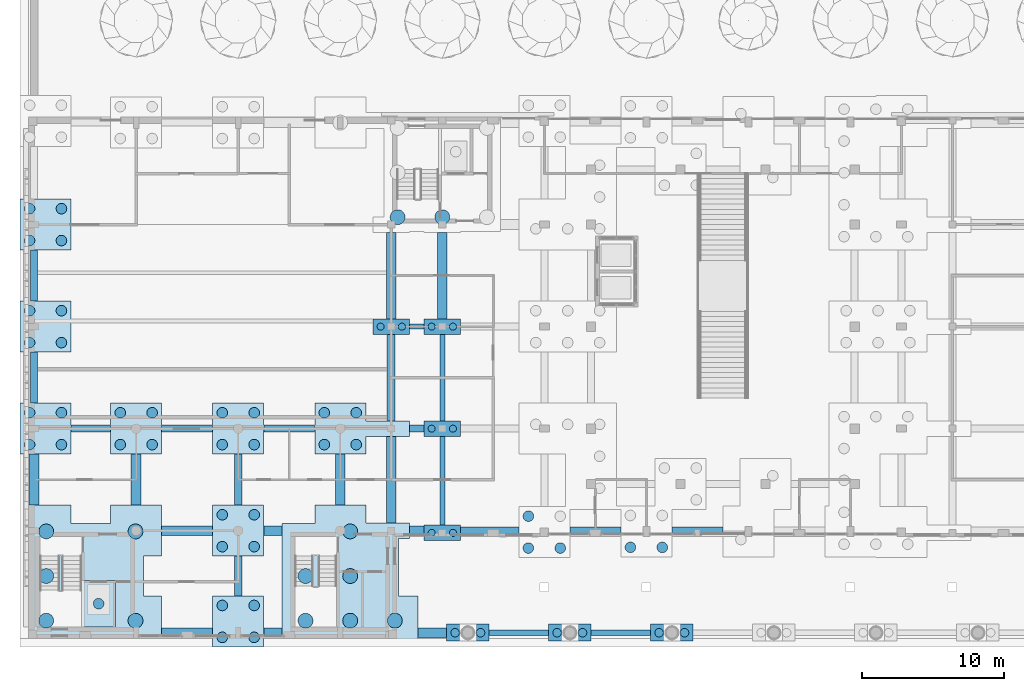
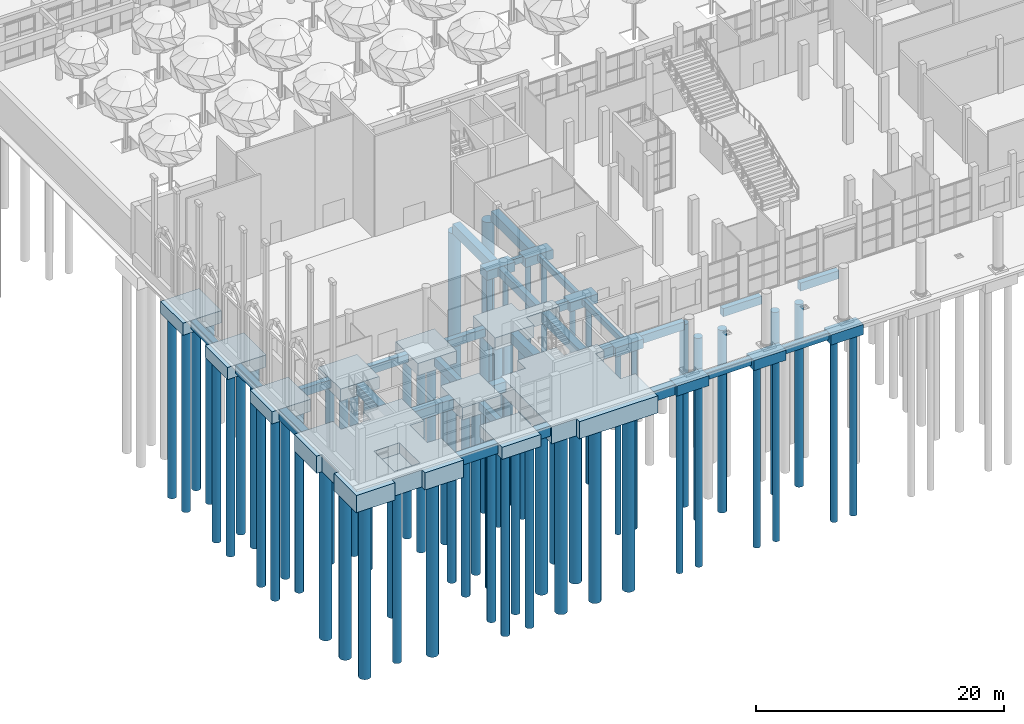
# One storey, part 1 of 80: 65 piles, 47 footings.
"""IFC4 building model written with IfcOpenShell, lengths in metres."""

from ifc_helpers import new_model, si_unit, direction, frame, origin, origin_2d, place, context, subcontext, project, spatial, polyline, rectangle, circle, outline, extrude, material, material_profile, profile_set, type_object, element, save


model = new_model("IFC4")

# Units and contexts
model_context = context("Model", 3, precision=1e-05, world=origin(), true_north=direction((0.0, 1.0)))
body_context = subcontext(model_context, "Body", "Model", "MODEL_VIEW")
ifc_project = project(units=[si_unit("LENGTHUNIT", "METRE"), si_unit("AREAUNIT", "SQUARE_METRE"), si_unit("VOLUMEUNIT", "CUBIC_METRE"), si_unit("PLANEANGLEUNIT", "RADIAN"), si_unit("MASSUNIT", "GRAM", prefix="KILO")], contexts=[model_context])

# Site, building, storey
site_placement = place(None, origin())
site = spatial("IfcSite", under=ifc_project, at=site_placement, CompositionType="ELEMENT")
building_placement = place(site_placement, origin())
building = spatial("IfcBuilding", under=site, at=building_placement, Name="Ussher Court Research Institute", CompositionType="ELEMENT")
storey_placement = place(building_placement, origin())
storey = spatial("IfcBuildingStorey", under=building, at=storey_placement, Name="L00", CompositionType="ELEMENT", Elevation=0.0)

# Piles
ifc_material_1 = material(Name="Concrete C35/45", Category="concrete")
ifc_material_profile_1 = material_profile(ifc_material_1, circle(Radius=0.52490234375, at=origin_2d()), Name="RC D1050")
ifc_profile_set_1 = profile_set([ifc_material_profile_1], Name="Concrete C35/45")
pile_type_1 = type_object("IfcPileType", Name="Bored pile D1050", PredefinedType="BORED", material=ifc_profile_set_1)
for number, where, z_axis, x_axis, name in (
    (1, (3.85009765625, 4.85009765625, -2.10009765625), (0.0, 0.0, -1.0), (1.0, 0.0, 0.0), "P5 008-01"),
    (2, (3.85009765625, 8.0, -2.10009765625), (0.0, 0.0, -1.0), (1.0, 0.0, 0.0), "P5 008-02"),
    (3, (3.85009765625, 11.14990234375, -2.10009765625), (0.0, 0.0, -1.0), (1.0, 0.0, 0.0), "P5 008-03"),
    (4, (10.14990234375, 4.85009765625, -2.10009765625), (0.0, 0.0, -1.0), (1.0, 0.0, 0.0), "P5 008-04"),
    (5, (10.14990234375, 11.14990234375, -2.10009765625), (0.0, 0.0, -1.0), (1.0, 0.0, 0.0), "P5 008-05"),
    (6, (22.14990234375, 4.85009765625, -2.10009765625), (0.0, 0.0, -1.0), (1.0, 0.0, 0.0), "P5 031-01"),
    (7, (22.14990234375, 8.0, -2.10009765625), (0.0, 0.0, -1.0), (1.0, 0.0, 0.0), "P5 031-02"),
    (8, (25.300048828125, 4.85009765625, -2.10009765625), (0.0, 0.0, -1.0), (1.0, 0.0, 0.0), "P5 031-03"),
    (9, (25.300048828125, 8.0, -2.10009765625), (0.0, 0.0, -1.0), (1.0, 0.0, 0.0), "P5 031-04"),
    (10, (25.300048828125, 11.14990234375, -2.10009765625), (0.0, 0.0, -1.0), (1.0, 0.0, 0.0), "P5 031-05"),
    (11, (28.449951171875, 4.85009765625, -2.10009765625), (0.0, 0.0, -1.0), (1.0, 0.0, 0.0), "P5 031-06"),
    (12, (28.64990234375, 33.324951171875, -2.10009765625), (0.0, 0.0, -1.0), (1.0, 0.0, 0.0), "P5 033-01"),
    (13, (31.800048828125, 33.324951171875, -2.10009765625), (0.0, 0.0, -1.0), (1.0, 0.0, 0.0), "P5 033-04"),
):
    element("IfcPile", number, at=place(storey_placement, frame(where, z_axis=z_axis, x_axis=x_axis)), inside=storey, type_object=pile_type_1, Name=name, PredefinedType="BORED", context=body_context, shape_type="SweptSolid", body=[
        extrude(circle(Radius=0.52490234375, at=origin_2d()), origin(), (0.0, 0.0, 1.0), 18.0),
    ])
ifc_material_2 = material(Name="Concrete C35/45", Category="concrete")
ifc_material_profile_2 = material_profile(ifc_material_2, circle(Radius=0.25, at=origin_2d()), Name="RC D500")
ifc_profile_set_2 = profile_set([ifc_material_profile_2], Name="Concrete C35/45")
pile_type_2 = type_object("IfcPileType", Name="Bored pile D500", PredefinedType="BORED", material=ifc_profile_set_2)
for number, where, z_axis, x_axis, name in (
    (14, (27.449951171875, 25.60009765625, -1.300048828125), (0.0, 0.0, -1.0), (1.0, 0.0, 0.0), "P4 039-01"),
    (15, (28.949951171875, 25.60009765625, -1.300048828125), (0.0, 0.0, -1.0), (1.0, 0.0, 0.0), "P4 039-02"),
    (16, (31.050048828125, 11.050048828125, -1.300048828125), (0.0, 0.0, -1.0), (1.0, 0.0, 0.0), "P4 045-01"),
    (17, (32.550048828125, 11.050048828125, -1.300048828125), (0.0, 0.0, -1.0), (1.0, 0.0, 0.0), "P4 045-02"),
    (18, (31.050048828125, 18.39990234375, -1.300048828125), (0.0, 0.0, -1.0), (1.0, 0.0, 0.0), "P4 046-01"),
    (19, (32.550048828125, 18.39990234375, -1.300048828125), (0.0, 0.0, -1.0), (1.0, 0.0, 0.0), "P4 046-02"),
    (20, (31.050048828125, 25.60009765625, -1.300048828125), (0.0, 0.0, -1.0), (1.0, 0.0, 0.0), "P4 047-01"),
    (21, (32.550048828125, 25.60009765625, -1.300048828125), (0.0, 0.0, -1.0), (1.0, 0.0, 0.0), "P4 047-02"),
):
    element("IfcPile", number, at=place(storey_placement, frame(where, z_axis=z_axis, x_axis=x_axis)), inside=storey, type_object=pile_type_2, Name=name, PredefinedType="BORED", context=body_context, shape_type="SweptSolid", body=[
        extrude(circle(Radius=0.25, at=origin_2d()), origin(), (0.0, 0.0, 1.0), 18.0),
    ])
ifc_material_3 = material(Name="Concrete C35/45", Category="concrete")
ifc_material_profile_3 = material_profile(ifc_material_3, circle(Radius=0.300048828125, at=origin_2d()), Name="RC D600")
ifc_profile_set_3 = profile_set([ifc_material_profile_3], Name="Concrete C35/45")
pile_type_3 = type_object("IfcPileType", Name="Bored pile D600", PredefinedType="BORED", material=ifc_profile_set_3)
for number, where, z_axis, x_axis, name in (
    (22, (32.699951171875, 4.0, -1.39990234375), (0.0, 0.0, -1.0), (1.0, 0.0, 0.0), "P2 048-01"),
    (23, (34.5, 4.0, -1.39990234375), (0.0, 0.0, -1.0), (1.0, 0.0, 0.0), "P2 048-02"),
    (24, (39.89990234375, 4.0, -1.39990234375), (0.0, 0.0, -1.0), (1.0, 0.0, 0.0), "P2 057-01"),
    (25, (41.699951171875, 4.0, -1.39990234375), (0.0, 0.0, -1.0), (1.0, 0.0, 0.0), "P2 057-02"),
    (26, (47.10009765625, 4.0, -1.39990234375), (0.0, 0.0, -1.0), (1.0, 0.0, 0.0), "P2 062-01"),
    (27, (48.89990234375, 4.0, -1.39990234375), (0.0, 0.0, -1.0), (1.0, 0.0, 0.0), "P2 062-02"),
):
    element("IfcPile", number, at=place(storey_placement, frame(where, z_axis=z_axis, x_axis=x_axis)), inside=storey, type_object=pile_type_3, Name=name, PredefinedType="BORED", context=body_context, shape_type="SweptSolid", body=[
        extrude(circle(Radius=0.300048828125, at=origin_2d()), origin(), (0.0, 0.0, 1.0), 18.0),
    ])
ifc_material_4 = material(Name="Concrete C35/45", Category="concrete")
ifc_material_profile_4 = material_profile(ifc_material_4, circle(Radius=0.375, at=origin_2d()), Name="RC D750")
ifc_profile_set_4 = profile_set([ifc_material_profile_4], Name="Concrete C35/45")
pile_type_4 = type_object("IfcPileType", Name="Bored pile D750", PredefinedType="BORED", material=ifc_profile_set_4)
for number, where, z_axis, x_axis, name in (
    (28, (7.550048828125, 6.050048828125, -2.64990234375), (0.0, 0.0, -1.0), (1.0, 0.0, 0.0), "P1 001-01"),
    (29, (2.675048828125, 17.27490234375, -1.60009765625), (0.0, 0.0, -1.0), (1.0, 0.0, 0.0), "P1 009-01"),
    (30, (2.675048828125, 19.52490234375, -1.60009765625), (0.0, 0.0, -1.0), (1.0, 0.0, 0.0), "P1 009-02"),
    (31, (4.925048828125, 17.27490234375, -1.60009765625), (0.0, 0.0, -1.0), (1.0, 0.0, 0.0), "P1 009-03"),
    (32, (4.925048828125, 19.52490234375, -1.60009765625), (0.0, 0.0, -1.0), (1.0, 0.0, 0.0), "P1 009-04"),
    (33, (2.675048828125, 24.47509765625, -1.60009765625), (0.0, 0.0, -1.0), (1.0, 0.0, 0.0), "P1 010-01"),
    (34, (2.675048828125, 26.72509765625, -1.60009765625), (0.0, 0.0, -1.0), (1.0, 0.0, 0.0), "P1 010-02"),
    (35, (4.925048828125, 24.47509765625, -1.60009765625), (0.0, 0.0, -1.0), (1.0, 0.0, 0.0), "P1 010-03"),
    (36, (4.925048828125, 26.72509765625, -1.60009765625), (0.0, 0.0, -1.0), (1.0, 0.0, 0.0), "P1 010-04"),
    (37, (2.675048828125, 31.675048828125, -1.60009765625), (0.0, 0.0, -1.0), (1.0, 0.0, 0.0), "P1 011-01"),
    (38, (2.675048828125, 33.925048828125, -1.60009765625), (0.0, 0.0, -1.0), (1.0, 0.0, 0.0), "P1 011-02"),
    (39, (4.925048828125, 31.675048828125, -1.60009765625), (0.0, 0.0, -1.0), (1.0, 0.0, 0.0), "P1 011-03"),
    (40, (4.925048828125, 33.925048828125, -1.60009765625), (0.0, 0.0, -1.0), (1.0, 0.0, 0.0), "P1 011-04"),
    (41, (9.074951171875, 17.27490234375, -1.60009765625), (0.0, 0.0, -1.0), (1.0, 0.0, 0.0), "P1 017-01"),
    (42, (9.074951171875, 19.52490234375, -1.60009765625), (0.0, 0.0, -1.0), (1.0, 0.0, 0.0), "P1 017-02"),
    (43, (11.324951171875, 17.27490234375, -1.60009765625), (0.0, 0.0, -1.0), (1.0, 0.0, 0.0), "P1 017-03"),
    (44, (11.324951171875, 19.52490234375, -1.60009765625), (0.0, 0.0, -1.0), (1.0, 0.0, 0.0), "P1 017-04"),
    (45, (16.27490234375, 3.675048828125, -1.60009765625), (0.0, 0.0, -1.0), (1.0, 0.0, 0.0), "P1 022-01"),
    (46, (16.27490234375, 5.925048828125, -1.60009765625), (0.0, 0.0, -1.0), (1.0, 0.0, 0.0), "P1 022-02"),
    (47, (18.52490234375, 3.675048828125, -1.60009765625), (0.0, 0.0, -1.0), (1.0, 0.0, 0.0), "P1 022-03"),
    (48, (18.52490234375, 5.925048828125, -1.60009765625), (0.0, 0.0, -1.0), (1.0, 0.0, 0.0), "P1 022-04"),
    (49, (16.27490234375, 10.074951171875, -1.60009765625), (0.0, 0.0, -1.0), (1.0, 0.0, 0.0), "P1 023-01"),
    (50, (16.27490234375, 12.324951171875, -1.60009765625), (0.0, 0.0, -1.0), (1.0, 0.0, 0.0), "P1 023-02"),
    (51, (18.52490234375, 10.074951171875, -1.60009765625), (0.0, 0.0, -1.0), (1.0, 0.0, 0.0), "P1 023-03"),
    (52, (18.52490234375, 12.324951171875, -1.60009765625), (0.0, 0.0, -1.0), (1.0, 0.0, 0.0), "P1 023-04"),
    (53, (16.27490234375, 17.27490234375, -1.60009765625), (0.0, 0.0, -1.0), (1.0, 0.0, 0.0), "P1 024-01"),
    (54, (16.27490234375, 19.52490234375, -1.60009765625), (0.0, 0.0, -1.0), (1.0, 0.0, 0.0), "P1 024-02"),
    (55, (18.52490234375, 17.27490234375, -1.60009765625), (0.0, 0.0, -1.0), (1.0, 0.0, 0.0), "P1 024-03"),
    (56, (18.52490234375, 19.52490234375, -1.60009765625), (0.0, 0.0, -1.0), (1.0, 0.0, 0.0), "P1 024-04"),
    (57, (23.47509765625, 17.27490234375, -1.60009765625), (0.0, 0.0, -1.0), (1.0, 0.0, 0.0), "P1 032-01"),
    (58, (23.47509765625, 19.52490234375, -1.60009765625), (0.0, 0.0, -1.0), (1.0, 0.0, 0.0), "P1 032-02"),
    (59, (25.72509765625, 17.27490234375, -1.60009765625), (0.0, 0.0, -1.0), (1.0, 0.0, 0.0), "P1 032-03"),
    (60, (25.72509765625, 19.52490234375, -1.60009765625), (0.0, 0.0, -1.0), (1.0, 0.0, 0.0), "P1 032-04"),
    (61, (37.875, 9.97509765625, -1.60009765625), (0.0, 0.0, -1.0), (1.0, 0.0, 0.0), "P1 049-06"),
    (62, (37.875, 12.22509765625, -1.60009765625), (0.0, 0.0, -1.0), (1.0, 0.0, 0.0), "P1 049-07"),
    (63, (40.125, 9.97509765625, -1.60009765625), (0.0, 0.0, -1.0), (1.0, 0.0, 0.0), "P1 049-08"),
    (64, (45.074951171875, 10.02490234375, -1.60009765625), (0.0, 0.0, -1.0), (1.0, 0.0, 0.0), "P1 049-10"),
    (65, (47.324951171875, 10.02490234375, -1.60009765625), (0.0, 0.0, -1.0), (1.0, 0.0, 0.0), "P1 049-12"),
):
    element("IfcPile", number, at=place(storey_placement, frame(where, z_axis=z_axis, x_axis=x_axis)), inside=storey, type_object=pile_type_4, Name=name, PredefinedType="BORED", context=body_context, shape_type="SweptSolid", body=[
        extrude(circle(Radius=0.375, at=origin_2d()), origin(), (0.0, 0.0, 1.0), 18.0),
    ])

# Footings
ifc_material_5 = material(Name="Concrete C35/45", Category="concrete")
footing_type_1 = type_object("IfcFootingType", Name="Core raft 10000x10000x1700", PredefinedType="PILE_CAP", material=ifc_material_5)
footing_1_placement = place(storey_placement, frame((0.0, 0.0, -2.25)))
element("IfcFooting", 66, at=footing_1_placement, inside=storey, type_object=footing_type_1, Name="CR14 008", PredefinedType="PILE_CAP", context=body_context, shape_type="SweptSolid", body=[
    extrude(outline(polyline([(2.5, 9.39990234375), (2.5, 6.60009765625), (2.0, 6.60009765625), (2.0, 3.0), (5.60009765625, 3.0), (5.60009765625, 3.5), (8.39990234375, 3.5), (8.39990234375, 3.0), (12.0, 3.0), (12.0, 6.60009765625), (10.699951171875, 6.60009765625), (10.699951171875, 9.39990234375), (12.0, 9.39990234375), (12.0, 13.0), (8.39990234375, 13.0), (8.39990234375, 11.699951171875), (5.60009765625, 11.699951171875), (5.60009765625, 13.0), (2.0, 13.0), (2.0, 9.39990234375), (2.5, 9.39990234375)]), holes=[polyline([(8.75, 7.699951171875), (8.75, 4.39990234375), (6.35009765625, 4.39990234375), (6.35009765625, 7.699951171875), (8.75, 7.699951171875)])]), origin(), (0.0, 0.0, 1.0), 1.699951171875),
])
ifc_material_6 = material(Name="Concrete C35/45", Category="concrete")
footing_type_2 = type_object("IfcFootingType", Name="Core raft 10000x9600x1700", PredefinedType="PILE_CAP", material=ifc_material_6)
footing_2_placement = place(storey_placement, frame((0.0, 0.0, -2.25)))
element("IfcFooting", 67, at=footing_2_placement, inside=storey, type_object=footing_type_2, Name="CR13 031", PredefinedType="PILE_CAP", context=body_context, shape_type="SweptSolid", body=[
    extrude(outline(polyline([(20.5, 3.5), (22.800048828125, 3.5), (22.800048828125, 3.0), (30.10009765625, 3.0), (30.10009765625, 6.60009765625), (28.699951171875, 6.60009765625), (28.699951171875, 10.64990234375), (29.5, 10.64990234375), (29.5, 11.75), (26.39990234375, 11.75), (26.39990234375, 13.0), (22.800048828125, 13.0), (22.800048828125, 11.699951171875), (20.5, 11.699951171875), (20.5, 3.5)])), origin(), (0.0, 0.0, 1.0), 1.699951171875),
])
ifc_material_7 = material(Name="Concrete C35/45", Category="concrete")
footing_type_3 = type_object("IfcFootingType", Name="Core raft 3300x2400x1200", PredefinedType="PILE_CAP", material=ifc_material_7)
footing_3_placement = place(storey_placement, frame((0.0, 0.0, -2.800048828125)))
element("IfcFooting", 68, at=footing_3_placement, inside=storey, type_object=footing_type_3, Name="CR3 001", PredefinedType="PILE_CAP", context=body_context, shape_type="SweptSolid", body=[
    extrude(outline(polyline([(8.75, 4.39990234375), (8.75, 7.699951171875), (6.35009765625, 7.699951171875), (6.35009765625, 4.39990234375), (8.75, 4.39990234375)])), origin(), (0.0, 0.0, 1.0), 1.199951171875),
])
ifc_material_8 = material(Name="Concrete C35/45", Category="concrete")
footing_type_4 = type_object("IfcFootingType", Name="Pile cap 2600x1100x900", PredefinedType="PILE_CAP", material=ifc_material_8)
footing_4_placement = place(storey_placement, frame((0.0, 0.0, -1.449951171875)))
element("IfcFooting", 69, at=footing_4_placement, inside=storey, type_object=footing_type_4, Name="PC1 039", PredefinedType="PILE_CAP", context=body_context, shape_type="SweptSolid", body=[
    extrude(outline(polyline([(26.89990234375, 25.050048828125), (29.5, 25.050048828125), (29.5, 26.14990234375), (26.89990234375, 26.14990234375), (26.89990234375, 25.050048828125)])), origin(), (0.0, 0.0, 1.0), 0.89990234375),
])
footing_5_placement = place(storey_placement, frame((0.0, 0.0, -1.449951171875)))
element("IfcFooting", 70, at=footing_5_placement, inside=storey, type_object=footing_type_4, Name="PC1 045", PredefinedType="PILE_CAP", context=body_context, shape_type="SweptSolid", body=[
    extrude(outline(polyline([(30.5, 10.5), (33.10009765625, 10.5), (33.10009765625, 11.60009765625), (30.5, 11.60009765625), (30.5, 10.5)])), origin(), (0.0, 0.0, 1.0), 0.89990234375),
])
footing_6_placement = place(storey_placement, frame((0.0, 0.0, -1.449951171875)))
element("IfcFooting", 71, at=footing_6_placement, inside=storey, type_object=footing_type_4, Name="PC1 046", PredefinedType="PILE_CAP", context=body_context, shape_type="SweptSolid", body=[
    extrude(outline(polyline([(30.5, 17.85009765625), (33.10009765625, 17.85009765625), (33.10009765625, 18.949951171875), (30.5, 18.949951171875), (30.5, 17.85009765625)])), origin(), (0.0, 0.0, 1.0), 0.89990234375),
])
footing_7_placement = place(storey_placement, frame((0.0, 0.0, -1.449951171875)))
element("IfcFooting", 72, at=footing_7_placement, inside=storey, type_object=footing_type_4, Name="PC1 047", PredefinedType="PILE_CAP", context=body_context, shape_type="SweptSolid", body=[
    extrude(outline(polyline([(30.5, 25.050048828125), (33.10009765625, 25.050048828125), (33.10009765625, 26.14990234375), (30.5, 26.14990234375), (30.5, 25.050048828125)])), origin(), (0.0, 0.0, 1.0), 0.89990234375),
])
ifc_material_9 = material(Name="Concrete C35/45", Category="concrete")
footing_type_5 = type_object("IfcFootingType", Name="Pile cap 3000x1200x1000", PredefinedType="PILE_CAP", material=ifc_material_9)
footing_8_placement = place(storey_placement, frame((0.0, 0.0, -1.550048828125)))
element("IfcFooting", 73, at=footing_8_placement, inside=storey, type_object=footing_type_5, Name="PC2 048", PredefinedType="PILE_CAP", context=body_context, shape_type="SweptSolid", body=[
    extrude(outline(polyline([(32.10009765625, 3.39990234375), (35.10009765625, 3.39990234375), (35.10009765625, 4.60009765625), (32.10009765625, 4.60009765625), (32.10009765625, 3.39990234375)])), origin(), (0.0, 0.0, 1.0), 1.0),
])
footing_9_placement = place(storey_placement, frame((0.0, 0.0, -1.550048828125)))
element("IfcFooting", 74, at=footing_9_placement, inside=storey, type_object=footing_type_5, Name="PC2 057", PredefinedType="PILE_CAP", context=body_context, shape_type="SweptSolid", body=[
    extrude(outline(polyline([(39.300048828125, 3.39990234375), (42.300048828125, 3.39990234375), (42.300048828125, 4.60009765625), (39.300048828125, 4.60009765625), (39.300048828125, 3.39990234375)])), origin(), (0.0, 0.0, 1.0), 1.0),
])
footing_10_placement = place(storey_placement, frame((0.0, 0.0, -1.550048828125)))
element("IfcFooting", 75, at=footing_10_placement, inside=storey, type_object=footing_type_5, Name="PC2 062", PredefinedType="PILE_CAP", context=body_context, shape_type="SweptSolid", body=[
    extrude(outline(polyline([(46.5, 3.39990234375), (49.5, 3.39990234375), (49.5, 4.60009765625), (46.5, 4.60009765625), (46.5, 3.39990234375)])), origin(), (0.0, 0.0, 1.0), 1.0),
])
ifc_material_10 = material(Name="Concrete C35/45", Category="concrete")
footing_type_6 = type_object("IfcFootingType", Name="Pile cap 3600x3600x1200", PredefinedType="PILE_CAP", material=ifc_material_10)
footing_11_placement = place(storey_placement, frame((0.0, 0.0, -1.75)))
element("IfcFooting", 76, at=footing_11_placement, inside=storey, type_object=footing_type_6, Name="PC5 009", PredefinedType="PILE_CAP", context=body_context, shape_type="SweptSolid", body=[
    extrude(outline(polyline([(2.0, 16.60009765625), (5.60009765625, 16.60009765625), (5.60009765625, 20.199951171875), (2.0, 20.199951171875), (2.0, 16.60009765625)])), origin(), (0.0, 0.0, 1.0), 1.199951171875),
])
footing_12_placement = place(storey_placement, frame((0.0, 0.0, -1.75)))
element("IfcFooting", 77, at=footing_12_placement, inside=storey, type_object=footing_type_6, Name="PC5 010", PredefinedType="PILE_CAP", context=body_context, shape_type="SweptSolid", body=[
    extrude(outline(polyline([(2.0, 23.800048828125), (5.60009765625, 23.800048828125), (5.60009765625, 27.39990234375), (2.0, 27.39990234375), (2.0, 23.800048828125)])), origin(), (0.0, 0.0, 1.0), 1.199951171875),
])
footing_13_placement = place(storey_placement, frame((0.0, 0.0, -1.75)))
element("IfcFooting", 78, at=footing_13_placement, inside=storey, type_object=footing_type_6, Name="PC5 011", PredefinedType="PILE_CAP", context=body_context, shape_type="SweptSolid", body=[
    extrude(outline(polyline([(2.0, 31.0), (5.60009765625, 31.0), (5.60009765625, 34.60009765625), (2.0, 34.60009765625), (2.0, 31.0)])), origin(), (0.0, 0.0, 1.0), 1.199951171875),
])
footing_14_placement = place(storey_placement, frame((0.0, 0.0, -1.75)))
element("IfcFooting", 79, at=footing_14_placement, inside=storey, type_object=footing_type_6, Name="PC5 017", PredefinedType="PILE_CAP", context=body_context, shape_type="SweptSolid", body=[
    extrude(outline(polyline([(8.39990234375, 16.60009765625), (12.0, 16.60009765625), (12.0, 20.199951171875), (8.39990234375, 20.199951171875), (8.39990234375, 16.60009765625)])), origin(), (0.0, 0.0, 1.0), 1.199951171875),
])
footing_15_placement = place(storey_placement, frame((0.0, 0.0, -1.75)))
element("IfcFooting", 80, at=footing_15_placement, inside=storey, type_object=footing_type_6, Name="PC5 022", PredefinedType="PILE_CAP", context=body_context, shape_type="SweptSolid", body=[
    extrude(outline(polyline([(15.60009765625, 3.0), (19.199951171875, 3.0), (19.199951171875, 6.60009765625), (15.60009765625, 6.60009765625), (15.60009765625, 3.0)])), origin(), (0.0, 0.0, 1.0), 1.199951171875),
])
footing_16_placement = place(storey_placement, frame((0.0, 0.0, -1.75)))
element("IfcFooting", 81, at=footing_16_placement, inside=storey, type_object=footing_type_6, Name="PC5 023", PredefinedType="PILE_CAP", context=body_context, shape_type="SweptSolid", body=[
    extrude(outline(polyline([(15.60009765625, 9.39990234375), (19.199951171875, 9.39990234375), (19.199951171875, 13.0), (15.60009765625, 13.0), (15.60009765625, 9.39990234375)])), origin(), (0.0, 0.0, 1.0), 1.199951171875),
])
footing_17_placement = place(storey_placement, frame((0.0, 0.0, -1.75)))
element("IfcFooting", 82, at=footing_17_placement, inside=storey, type_object=footing_type_6, Name="PC5 024", PredefinedType="PILE_CAP", context=body_context, shape_type="SweptSolid", body=[
    extrude(outline(polyline([(15.60009765625, 16.60009765625), (19.199951171875, 16.60009765625), (19.199951171875, 20.199951171875), (15.60009765625, 20.199951171875), (15.60009765625, 16.60009765625)])), origin(), (0.0, 0.0, 1.0), 1.199951171875),
])
ifc_material_11 = material(Name="Concrete C35/45", Category="concrete")
footing_type_7 = type_object("IfcFootingType", Name="Pile cap 6700x3600x1200", PredefinedType="PILE_CAP", material=ifc_material_11)
footing_18_placement = place(storey_placement, frame((0.0, 0.0, -1.75)))
element("IfcFooting", 83, at=footing_18_placement, inside=storey, type_object=footing_type_7, Name="PC7 032", PredefinedType="PILE_CAP", context=body_context, shape_type="SweptSolid", body=[
    extrude(outline(polyline([(22.800048828125, 20.199951171875), (22.800048828125, 16.60009765625), (26.39990234375, 16.60009765625), (26.39990234375, 17.85009765625), (29.5, 17.85009765625), (29.5, 18.949951171875), (26.39990234375, 18.949951171875), (26.39990234375, 20.199951171875), (22.800048828125, 20.199951171875)])), origin(), (0.0, 0.0, 1.0), 1.199951171875),
])
ifc_material_12 = material(Name="Concrete C35/45", Category="concrete")
ifc_material_profile_5 = material_profile(ifc_material_12, rectangle(XDim=0.35009765625, YDim=0.60009765625, at=origin_2d()), Name="RC 350x600")
ifc_profile_set_5 = profile_set([ifc_material_profile_5], Name="Concrete C35/45")
footing_type_8 = type_object("IfcFootingType", Name="RC 350x600 ground beam", PredefinedType="FOOTING_BEAM", material=ifc_profile_set_5)
footing_19_placement = place(storey_placement, frame((29.5009765625, 25.60009765625, -0.85009765625), z_axis=(1.0, 0.0, 0.0), x_axis=(0.0, 1.0, 0.0)))
element("IfcFooting", 84, at=footing_19_placement, inside=storey, type_object=footing_type_8, Name="GB4 037", PredefinedType="FOOTING_BEAM", context=body_context, shape_type="SweptSolid", body=[
    extrude(rectangle(XDim=0.35009765625, YDim=0.60009765625, at=origin_2d()), origin(), (0.0, 0.0, 1.0), 0.998046875),
])
footing_20_placement = place(storey_placement, frame((31.800048828125, 11.60107421875, -0.85009765625), z_axis=(0.0, 1.0, 0.0), x_axis=(-1.0, 0.0, 0.0)))
element("IfcFooting", 85, at=footing_20_placement, inside=storey, type_object=footing_type_8, Name="GB4 140", PredefinedType="FOOTING_BEAM", context=body_context, shape_type="SweptSolid", body=[
    extrude(rectangle(XDim=0.35009765625, YDim=0.60009765625, at=origin_2d()), origin(), (0.0, 0.0, 1.0), 6.248046875),
])
footing_21_placement = place(storey_placement, frame((31.800048828125, 18.950927734375, -0.85009765625), z_axis=(0.0, 1.0, 0.0), x_axis=(-1.0, 0.0, 0.0)))
element("IfcFooting", 86, at=footing_21_placement, inside=storey, type_object=footing_type_8, Name="GB4 141", PredefinedType="FOOTING_BEAM", context=body_context, shape_type="SweptSolid", body=[
    extrude(rectangle(XDim=0.35009765625, YDim=0.60009765625, at=origin_2d()), origin(), (0.0, 0.0, 1.0), 6.09814453125),
])
ifc_material_13 = material(Name="Concrete C35/45", Category="concrete")
ifc_material_profile_6 = material_profile(ifc_material_13, rectangle(XDim=0.39990234375, YDim=0.699951171875, at=origin_2d()), Name="RC 400x700")
ifc_profile_set_6 = profile_set([ifc_material_profile_6], Name="Concrete C35/45")
footing_type_9 = type_object("IfcFootingType", Name="RC 400x700 ground beam", PredefinedType="FOOTING_BEAM", material=ifc_profile_set_6)
for number, where, z_axis, x_axis, name in (
    (87, (35.10107421875, 4.0, -0.89990234375), (1.0, 0.0, 0.0), (0.0, 1.0, 0.0), "GB2 004"),
    (88, (42.301025390625, 4.0, -0.89990234375), (1.0, 0.0, 0.0), (0.0, 1.0, 0.0), "GB2 005"),
):
    element("IfcFooting", number, at=place(storey_placement, frame(where, z_axis=z_axis, x_axis=x_axis)), inside=storey, type_object=footing_type_9, Name=name, PredefinedType="FOOTING_BEAM", context=body_context, shape_type="SweptSolid", body=[
        extrude(rectangle(XDim=0.39990234375, YDim=0.699951171875, at=origin_2d()), origin(), (0.0, 0.0, 1.0), 4.197998046875),
    ])
ifc_material_14 = material(Name="Concrete C35/45", Category="concrete")
ifc_material_profile_7 = material_profile(ifc_material_14, rectangle(XDim=0.5, YDim=0.800048828125, at=origin_2d()), Name="RC 500x800")
ifc_profile_set_7 = profile_set([ifc_material_profile_7], Name="Concrete C35/45")
footing_type_10 = type_object("IfcFootingType", Name="RC 500x800 ground beam", PredefinedType="FOOTING_BEAM", material=ifc_profile_set_7)
footing_22_placement = place(storey_placement, frame((33.10107421875, 11.199951171875, -0.949951171875), z_axis=(1.0, 0.0, 0.0), x_axis=(0.0, 1.0, 0.0)))
element("IfcFooting", 89, at=footing_22_placement, inside=storey, type_object=footing_type_10, Name="GB1 017", PredefinedType="FOOTING_BEAM", context=body_context, shape_type="SweptSolid", body=[
    extrude(rectangle(XDim=0.5, YDim=0.800048828125, at=origin_2d()), origin(), (0.0, 0.0, 1.0), 4.097900390625),
])
footing_23_placement = place(storey_placement, frame((40.801025390625, 11.199951171875, -0.949951171875), z_axis=(1.0, 0.0, 0.0), x_axis=(0.0, 1.0, 0.0)))
element("IfcFooting", 90, at=footing_23_placement, inside=storey, type_object=footing_type_10, Name="GB1 018", PredefinedType="FOOTING_BEAM", context=body_context, shape_type="SweptSolid", body=[
    extrude(rectangle(XDim=0.5, YDim=0.800048828125, at=origin_2d()), origin(), (0.0, 0.0, 1.0), 3.597900390625),
])
footing_24_placement = place(storey_placement, frame((48.0009765625, 11.199951171875, -0.949951171875), z_axis=(1.0, 0.0, 0.0), x_axis=(0.0, 1.0, 0.0)))
element("IfcFooting", 91, at=footing_24_placement, inside=storey, type_object=footing_type_10, Name="GB1 019", PredefinedType="FOOTING_BEAM", context=body_context, shape_type="SweptSolid", body=[
    extrude(rectangle(XDim=0.5, YDim=0.800048828125, at=origin_2d()), origin(), (0.0, 0.0, 1.0), 3.59814453125),
])
footing_25_placement = place(storey_placement, frame((5.60107421875, 18.39990234375, -0.949951171875), z_axis=(1.0, 0.0, 0.0), x_axis=(0.0, 1.0, 0.0)))
element("IfcFooting", 92, at=footing_25_placement, inside=storey, type_object=footing_type_10, Name="GB1 028", PredefinedType="FOOTING_BEAM", context=body_context, shape_type="SweptSolid", body=[
    extrude(rectangle(XDim=0.5, YDim=0.800048828125, at=origin_2d()), origin(), (0.0, 0.0, 1.0), 2.7978515625),
])
for number, where, z_axis, x_axis, name in (
    (93, (12.0009765625, 18.39990234375, -0.949951171875), (1.0, 0.0, 0.0), (0.0, 1.0, 0.0), "GB1 029"),
    (94, (19.200927734375, 18.39990234375, -0.949951171875), (1.0, 0.0, 0.0), (0.0, 1.0, 0.0), "GB1 030"),
):
    element("IfcFooting", number, at=place(storey_placement, frame(where, z_axis=z_axis, x_axis=x_axis)), inside=storey, type_object=footing_type_10, Name=name, PredefinedType="FOOTING_BEAM", context=body_context, shape_type="SweptSolid", body=[
        extrude(rectangle(XDim=0.5, YDim=0.800048828125, at=origin_2d()), origin(), (0.0, 0.0, 1.0), 3.59814453125),
    ])
footing_26_placement = place(storey_placement, frame((29.5009765625, 18.39990234375, -0.949951171875), z_axis=(1.0, 0.0, 0.0), x_axis=(0.0, 1.0, 0.0)))
element("IfcFooting", 95, at=footing_26_placement, inside=storey, type_object=footing_type_10, Name="GB1 031", PredefinedType="FOOTING_BEAM", context=body_context, shape_type="SweptSolid", body=[
    extrude(rectangle(XDim=0.5, YDim=0.800048828125, at=origin_2d()), origin(), (0.0, 0.0, 1.0), 0.998046875),
])
for number, where, z_axis, x_axis, name in (
    (96, (3.0, 20.200927734375, -0.949951171875), (0.0, 1.0, 0.0), (-1.0, 0.0, 0.0), "GB1 116"),
    (97, (3.0, 27.40087890625, -0.949951171875), (0.0, 1.0, 0.0), (-1.0, 0.0, 0.0), "GB1 117"),
):
    element("IfcFooting", number, at=place(storey_placement, frame(where, z_axis=z_axis, x_axis=x_axis)), inside=storey, type_object=footing_type_10, Name=name, PredefinedType="FOOTING_BEAM", context=body_context, shape_type="SweptSolid", body=[
        extrude(rectangle(XDim=0.5, YDim=0.800048828125, at=origin_2d()), origin(), (0.0, 0.0, 1.0), 3.59814453125),
    ])
footing_27_placement = place(storey_placement, frame((17.39990234375, 6.60107421875, -0.949951171875), z_axis=(0.0, 1.0, 0.0), x_axis=(-1.0, 0.0, 0.0)))
element("IfcFooting", 98, at=footing_27_placement, inside=storey, type_object=footing_type_10, Name="GB1 126", PredefinedType="FOOTING_BEAM", context=body_context, shape_type="SweptSolid", body=[
    extrude(rectangle(XDim=0.5, YDim=0.800048828125, at=origin_2d()), origin(), (0.0, 0.0, 1.0), 2.7978515625),
])
footing_28_placement = place(storey_placement, frame((17.39990234375, 13.0009765625, -0.949951171875), z_axis=(0.0, 1.0, 0.0), x_axis=(-1.0, 0.0, 0.0)))
element("IfcFooting", 99, at=footing_28_placement, inside=storey, type_object=footing_type_10, Name="GB1 127", PredefinedType="FOOTING_BEAM", context=body_context, shape_type="SweptSolid", body=[
    extrude(rectangle(XDim=0.5, YDim=0.800048828125, at=origin_2d()), origin(), (0.0, 0.0, 1.0), 3.59814453125),
])
footing_29_placement = place(storey_placement, frame((28.199951171875, 18.950927734375, -0.949951171875), z_axis=(0.0, 1.0, 0.0), x_axis=(-1.0, 0.0, 0.0)))
element("IfcFooting", 100, at=footing_29_placement, inside=storey, type_object=footing_type_10, Name="GB1 138", PredefinedType="FOOTING_BEAM", context=body_context, shape_type="SweptSolid", body=[
    extrude(rectangle(XDim=0.5, YDim=0.800048828125, at=origin_2d()), origin(), (0.0, 0.0, 1.0), 6.09814453125),
])
ifc_material_15 = material(Name="Concrete C35/45", Category="concrete")
ifc_material_profile_8 = material_profile(ifc_material_15, rectangle(XDim=0.699951171875, YDim=1.0, at=origin_2d()), Name="RC 700x1000")
ifc_profile_set_8 = profile_set([ifc_material_profile_8], Name="Concrete C35/45")
footing_type_11 = type_object("IfcFootingType", Name="RC 700x1000 ground beam", PredefinedType="FOOTING_BEAM", material=ifc_profile_set_8)
footing_30_placement = place(storey_placement, frame((12.0009765625, 4.0, -1.050048828125), z_axis=(1.0, 0.0, 0.0), x_axis=(0.0, 1.0, 0.0)))
element("IfcFooting", 101, at=footing_30_placement, inside=storey, type_object=footing_type_11, Name="GB5 001", PredefinedType="FOOTING_BEAM", context=body_context, shape_type="SweptSolid", body=[
    extrude(rectangle(XDim=0.699951171875, YDim=1.0, at=origin_2d()), origin(), (0.0, 0.0, 1.0), 3.59814453125),
])
footing_31_placement = place(storey_placement, frame((19.200927734375, 4.0, -1.050048828125), z_axis=(1.0, 0.0, 0.0), x_axis=(0.0, 1.0, 0.0)))
element("IfcFooting", 102, at=footing_31_placement, inside=storey, type_object=footing_type_11, Name="GB5 002", PredefinedType="FOOTING_BEAM", context=body_context, shape_type="SweptSolid", body=[
    extrude(rectangle(XDim=0.699951171875, YDim=1.0, at=origin_2d()), origin(), (0.0, 0.0, 1.0), 1.298095703125),
])
footing_32_placement = place(storey_placement, frame((30.10107421875, 4.0, -1.050048828125), z_axis=(1.0, 0.0, 0.0), x_axis=(0.0, 1.0, 0.0)))
element("IfcFooting", 103, at=footing_32_placement, inside=storey, type_object=footing_type_11, Name="GB5 003", PredefinedType="FOOTING_BEAM", context=body_context, shape_type="SweptSolid", body=[
    extrude(rectangle(XDim=0.699951171875, YDim=1.0, at=origin_2d()), origin(), (0.0, 0.0, 1.0), 1.998046875),
])
footing_33_placement = place(storey_placement, frame((12.0009765625, 11.199951171875, -1.050048828125), z_axis=(1.0, 0.0, 0.0), x_axis=(0.0, 1.0, 0.0)))
element("IfcFooting", 104, at=footing_33_placement, inside=storey, type_object=footing_type_11, Name="GB5 014", PredefinedType="FOOTING_BEAM", context=body_context, shape_type="SweptSolid", body=[
    extrude(rectangle(XDim=0.699951171875, YDim=1.0, at=origin_2d()), origin(), (0.0, 0.0, 1.0), 3.59814453125),
])
footing_34_placement = place(storey_placement, frame((19.200927734375, 11.199951171875, -1.050048828125), z_axis=(1.0, 0.0, 0.0), x_axis=(0.0, 1.0, 0.0)))
element("IfcFooting", 105, at=footing_34_placement, inside=storey, type_object=footing_type_11, Name="GB5 015", PredefinedType="FOOTING_BEAM", context=body_context, shape_type="SweptSolid", body=[
    extrude(rectangle(XDim=0.699951171875, YDim=1.0, at=origin_2d()), origin(), (0.0, 0.0, 1.0), 1.298095703125),
])
footing_35_placement = place(storey_placement, frame((29.5009765625, 11.199951171875, -1.050048828125), z_axis=(1.0, 0.0, 0.0), x_axis=(0.0, 1.0, 0.0)))
element("IfcFooting", 106, at=footing_35_placement, inside=storey, type_object=footing_type_11, Name="GB5 016", PredefinedType="FOOTING_BEAM", context=body_context, shape_type="SweptSolid", body=[
    extrude(rectangle(XDim=0.699951171875, YDim=1.0, at=origin_2d()), origin(), (0.0, 0.0, 1.0), 0.998046875),
])
for number, where, z_axis, x_axis, name in (
    (107, (3.0, 13.0009765625, -1.050048828125), (0.0, 1.0, 0.0), (-1.0, 0.0, 0.0), "GB5 115"),
    (108, (10.199951171875, 13.0009765625, -1.050048828125), (0.0, 1.0, 0.0), (-1.0, 0.0, 0.0), "GB5 122"),
    (109, (24.60009765625, 13.0009765625, -1.050048828125), (0.0, 1.0, 0.0), (-1.0, 0.0, 0.0), "GB5 132"),
):
    element("IfcFooting", number, at=place(storey_placement, frame(where, z_axis=z_axis, x_axis=x_axis)), inside=storey, type_object=footing_type_11, Name=name, PredefinedType="FOOTING_BEAM", context=body_context, shape_type="SweptSolid", body=[
        extrude(rectangle(XDim=0.699951171875, YDim=1.0, at=origin_2d()), origin(), (0.0, 0.0, 1.0), 3.59814453125),
    ])
for number, where, z_axis, x_axis, name in (
    (110, (28.199951171875, 11.7509765625, -1.050048828125), (0.0, 1.0, 0.0), (-1.0, 0.0, 0.0), "GB5 137"),
    (111, (28.199951171875, 26.15087890625, -1.050048828125), (0.0, 1.0, 0.0), (-1.0, 0.0, 0.0), "GB5 139"),
    (112, (31.800048828125, 26.15087890625, -1.050048828125), (0.0, 1.0, 0.0), (-1.0, 0.0, 0.0), "GB5 142"),
):
    element("IfcFooting", number, at=place(storey_placement, frame(where, z_axis=z_axis, x_axis=x_axis)), inside=storey, type_object=footing_type_11, Name=name, PredefinedType="FOOTING_BEAM", context=body_context, shape_type="SweptSolid", body=[
        extrude(rectangle(XDim=0.699951171875, YDim=1.0, at=origin_2d()), origin(), (0.0, 0.0, 1.0), 6.09814453125),
    ])

save(model, "model.ifc")
